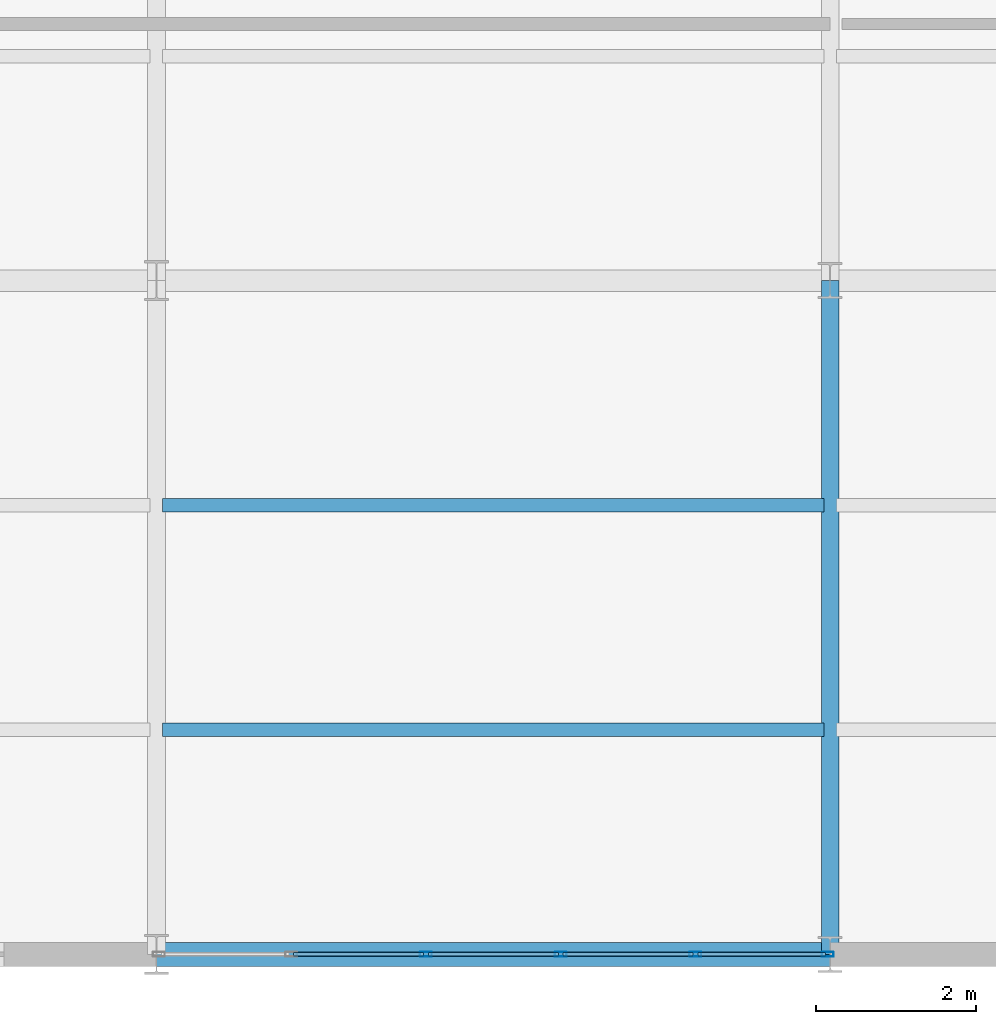
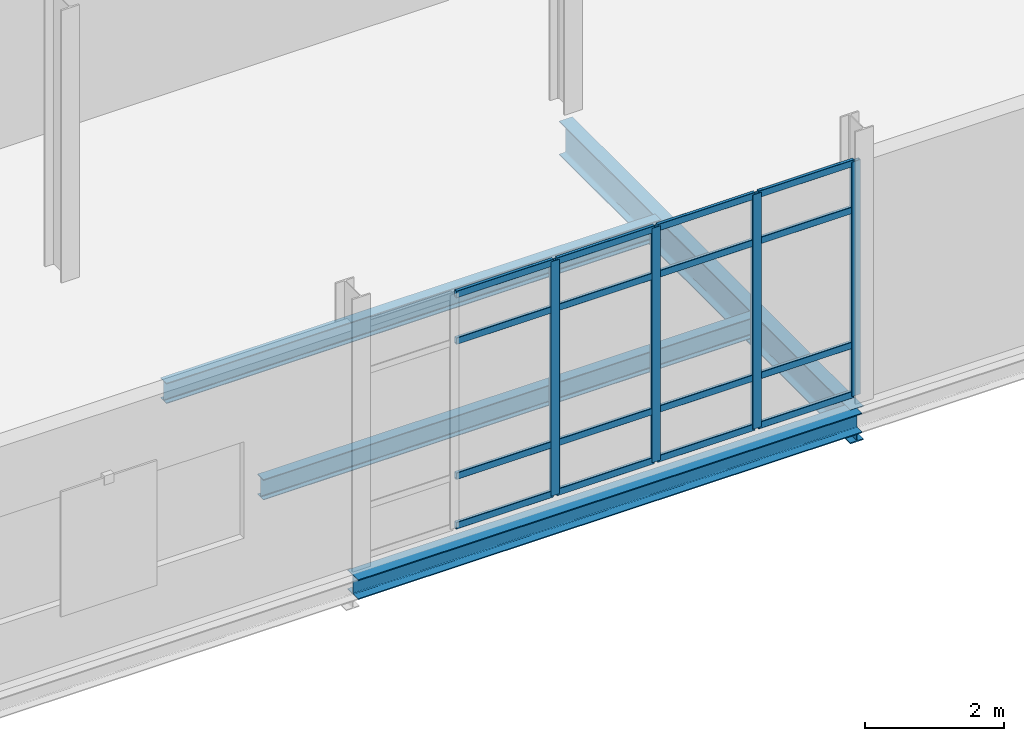
# One storey, part 51 of 145: 20 members, 4 beams, 1 element without a shape of its own.
"""IFC4 building model written with IfcOpenShell, lengths in metres."""

from ifc_helpers import new_model, si_unit, direction, frame, origin, origin_2d, place, context, subcontext, project, spatial, hollow_rectangle, i_section, extrude, material, layer, layer_set, material_profile, profile_set, type_object, element, aggregate, save


model = new_model("IFC4")

# Units and contexts
model_context = context("Model", 3, precision=1e-05, world=origin(), true_north=direction((0.0, 1.0)))
body_context = subcontext(model_context, "Body", "Model", "MODEL_VIEW")
ifc_project = project(units=[si_unit("LENGTHUNIT", "METRE"), si_unit("AREAUNIT", "SQUARE_METRE"), si_unit("VOLUMEUNIT", "CUBIC_METRE"), si_unit("PLANEANGLEUNIT", "RADIAN"), si_unit("MASSUNIT", "GRAM", prefix="KILO")], contexts=[model_context])

# Site, building, storey
site_placement = place(None, origin())
site = spatial("IfcSite", under=ifc_project, at=site_placement, CompositionType="ELEMENT")
building_placement = place(site_placement, origin())
building = spatial("IfcBuilding", under=site, at=building_placement, Name="Qalvenar Corner Mobility Hub", CompositionType="ELEMENT")
storey_placement = place(building_placement, origin())
storey = spatial("IfcBuildingStorey", under=building, at=storey_placement, Name="L00", CompositionType="ELEMENT", Elevation=0.0)

# Beams
ifc_material_1 = material(Name="Steel S355", Category="steel")
ifc_material_profile_1 = material_profile(ifc_material_1, i_section(OverallWidth=0.219970703125, OverallDepth=0.60009765625, WebThickness=0.011962890625, FlangeThickness=0.01904296875, FilletRadius=0.02392578125, at=origin_2d()), Name="IPE600")
ifc_profile_set_1 = profile_set([ifc_material_profile_1], Name="Steel S355")
beam_type_1 = type_object("IfcBeamType", Name="BM-IPE600", PredefinedType="BEAM", material=ifc_profile_set_1)
beam_1_placement = place(storey_placement, frame((126.0, 0.0, -0.550048828125), z_axis=(0.0, 1.0, 0.0), x_axis=(-1.0, 0.0, 0.0)))
element("IfcBeam", 1, at=beam_1_placement, inside=storey, type_object=beam_type_1, Name="Primary Steel Girder GY-0305", PredefinedType="BEAM", context=body_context, shape_type="SweptSolid", body=[
    extrude(i_section(OverallWidth=0.219970703125, OverallDepth=0.60009765625, WebThickness=0.011962890625, FlangeThickness=0.01904296875, FilletRadius=0.02392578125, at=origin_2d()), origin(), (0.0, 0.0, 1.0), 8.39990234375),
])
ifc_material_profile_2 = material_profile(ifc_material_1, i_section(OverallWidth=0.169921875, OverallDepth=0.360107421875, WebThickness=0.008056640625, FlangeThickness=0.0126953125, FilletRadius=0.01806640625, at=origin_2d()), Name="IPE360")
ifc_profile_set_2 = profile_set([ifc_material_profile_2], Name="Steel S355")
beam_type_2 = type_object("IfcBeamType", Name="BM-JST360", PredefinedType="JOIST", material=ifc_profile_set_2)
for number, where, z_axis, x_axis, name in (
    (2, (117.677978515625, 2.800048828125, -0.429931640625), (1.0, 0.0, 0.0), (0.0, 1.0, 0.0), "Composite Floor Joist J-0353"),
    (3, (117.677978515625, 5.60009765625, -0.429931640625), (1.0, 0.0, 0.0), (0.0, 1.0, 0.0), "Composite Floor Joist J-0354"),
):
    element("IfcBeam", number, at=place(storey_placement, frame(where, z_axis=z_axis, x_axis=x_axis)), inside=storey, type_object=beam_type_2, Name=name, PredefinedType="JOIST", context=body_context, shape_type="SweptSolid", body=[
        extrude(i_section(OverallWidth=0.169921875, OverallDepth=0.360107421875, WebThickness=0.008056640625, FlangeThickness=0.0126953125, FilletRadius=0.01806640625, at=origin_2d()), origin(), (0.0, 0.0, 1.0), 8.244140625),
    ])
ifc_material_profile_3 = material_profile(ifc_material_1, i_section(OverallWidth=0.300048828125, OverallDepth=0.35009765625, WebThickness=0.010009765625, FlangeThickness=0.017578125, FilletRadius=0.027099609375, at=origin_2d()), Name="HEA360")
ifc_profile_set_3 = profile_set([ifc_material_profile_3], Name="Steel S355")
beam_type_3 = type_object("IfcBeamType", Name="BM-SPN360", PredefinedType="SPANDREL", material=ifc_profile_set_3)
beam_2_placement = place(storey_placement, frame((117.60009765625, 0.0, -0.425048828125), z_axis=(1.0, 0.0, 0.0), x_axis=(0.0, 1.0, 0.0)))
element("IfcBeam", 4, at=beam_2_placement, inside=storey, type_object=beam_type_3, Name="Primary Steel Girder GX-0249", PredefinedType="SPANDREL", context=body_context, shape_type="SweptSolid", body=[
    extrude(i_section(OverallWidth=0.300048828125, OverallDepth=0.35009765625, WebThickness=0.010009765625, FlangeThickness=0.017578125, FilletRadius=0.027099609375, at=origin_2d()), origin(), (0.0, 0.0, 1.0), 8.39990234375),
])

# Curtain wall, members
ifc_material_2 = material(Name="Anodised Aluminium and Low-E Glazing", Category="aluminium")
ifc_layer = layer(ifc_material_2, 0.14990234375)
ifc_layer_set = layer_set([ifc_layer], Name="Anodised Aluminium and Low-E Glazing")
curtain_wall_type = type_object("IfcCurtainWallType", Name="CW-WKS-84X44", PredefinedType="NOTDEFINED", material=ifc_layer_set)
curtain_wall_placement = place(storey_placement, origin())
curtain_wall = element("IfcCurtainWall", 5, at=curtain_wall_placement, inside=storey, type_object=curtain_wall_type, Name="Glazed Curtain Wall CW-V6-L00-S1", PredefinedType="NOTDEFINED")
ifc_material_3 = material(Name="Anodised Aluminium 6063-T6", Category="aluminium")
ifc_material_profile_4 = material_profile(ifc_material_3, hollow_rectangle(XDim=0.06005859375, YDim=0.14990234375, WallThickness=0.00390625, InnerFilletRadius=0.00390625, OuterFilletRadius=0.008056640625, at=origin_2d()), Name="RHS150x60x4")
ifc_profile_set_4 = profile_set([ifc_material_profile_4], Name="Anodised Aluminium 6063-T6")
member_type_1 = type_object("IfcMemberType", Name="CW-MUL150", PredefinedType="MULLION", material=ifc_profile_set_4)
member_1_placement = place(storey_placement, frame((120.9599609375, 0.0, 0.0), z_axis=(0.0, 0.0, 1.0), x_axis=(0.0, 1.0, 0.0)))
member_1 = element("IfcMember", 6, at=member_1_placement, type_object=member_type_1, Name="CW-09 mullion 3", PredefinedType="MULLION", context=body_context, shape_type="SweptSolid", body=[
    extrude(hollow_rectangle(XDim=0.06005859375, YDim=0.14990234375, WallThickness=0.00390625, InnerFilletRadius=0.00390625, OuterFilletRadius=0.008056640625, at=origin_2d()), origin(), (0.0, 0.0, 1.0), 4.1298828125),
])
member_2_placement = place(storey_placement, frame((122.639892578125, 0.0, 0.0), z_axis=(0.0, 0.0, 1.0), x_axis=(0.0, 1.0, 0.0)))
member_2 = element("IfcMember", 7, at=member_2_placement, type_object=member_type_1, Name="CW-09 mullion 4", PredefinedType="MULLION", context=body_context, shape_type="SweptSolid", body=[
    extrude(hollow_rectangle(XDim=0.06005859375, YDim=0.14990234375, WallThickness=0.00390625, InnerFilletRadius=0.00390625, OuterFilletRadius=0.008056640625, at=origin_2d()), origin(), (0.0, 0.0, 1.0), 4.1298828125),
])
member_3_placement = place(storey_placement, frame((124.320068359375, 0.0, 0.0), z_axis=(0.0, 0.0, 1.0), x_axis=(0.0, 1.0, 0.0)))
member_3 = element("IfcMember", 8, at=member_3_placement, type_object=member_type_1, Name="CW-09 mullion 5", PredefinedType="MULLION", context=body_context, shape_type="SweptSolid", body=[
    extrude(hollow_rectangle(XDim=0.06005859375, YDim=0.14990234375, WallThickness=0.00390625, InnerFilletRadius=0.00390625, OuterFilletRadius=0.008056640625, at=origin_2d()), origin(), (0.0, 0.0, 1.0), 4.1298828125),
])
member_4_placement = place(storey_placement, frame((125.969970703125, 0.0, 0.0), z_axis=(0.0, 0.0, 1.0), x_axis=(0.0, 1.0, 0.0)))
member_4 = element("IfcMember", 9, at=member_4_placement, type_object=member_type_1, Name="CW-09 mullion 6", PredefinedType="MULLION", context=body_context, shape_type="SweptSolid", body=[
    extrude(hollow_rectangle(XDim=0.06005859375, YDim=0.14990234375, WallThickness=0.00390625, InnerFilletRadius=0.00390625, OuterFilletRadius=0.008056640625, at=origin_2d()), origin(), (0.0, 0.0, 1.0), 4.1298828125),
])
ifc_material_profile_5 = material_profile(ifc_material_3, hollow_rectangle(XDim=0.054931640625, YDim=0.1201171875, WallThickness=0.00341796875, InnerFilletRadius=0.00341796875, OuterFilletRadius=0.007080078125, at=origin_2d()), Name="RHS120x55x3.5")
ifc_profile_set_5 = profile_set([ifc_material_profile_5], Name="Anodised Aluminium 6063-T6")
member_type_2 = type_object("IfcMemberType", Name="CW-TRN120", PredefinedType="USERDEFINED", material=ifc_profile_set_5)
member_5_placement = place(storey_placement, frame((119.31005859375, 0.0, 0.027587890625), z_axis=(1.0, 0.0, 0.0), x_axis=(0.0, 1.0, 0.0)))
member_5 = element("IfcMember", 10, at=member_5_placement, type_object=member_type_2, Name="CW-09 transom 2.1", ObjectType="TRANSOM", PredefinedType="USERDEFINED", context=body_context, shape_type="SweptSolid", body=[
    extrude(hollow_rectangle(XDim=0.054931640625, YDim=0.1201171875, WallThickness=0.00341796875, InnerFilletRadius=0.00341796875, OuterFilletRadius=0.007080078125, at=origin_2d()), origin(), (0.0, 0.0, 1.0), 1.619873046875),
])
member_6_placement = place(storey_placement, frame((119.31005859375, 0.0, 0.89990234375), z_axis=(1.0, 0.0, 0.0), x_axis=(0.0, 1.0, 0.0)))
member_6 = element("IfcMember", 11, at=member_6_placement, type_object=member_type_2, Name="CW-09 transom 2.2", ObjectType="TRANSOM", PredefinedType="USERDEFINED", context=body_context, shape_type="SweptSolid", body=[
    extrude(hollow_rectangle(XDim=0.054931640625, YDim=0.1201171875, WallThickness=0.00341796875, InnerFilletRadius=0.00341796875, OuterFilletRadius=0.007080078125, at=origin_2d()), origin(), (0.0, 0.0, 1.0), 1.619873046875),
])
member_7_placement = place(storey_placement, frame((119.31005859375, 0.0, 3.280029296875), z_axis=(1.0, 0.0, 0.0), x_axis=(0.0, 1.0, 0.0)))
member_7 = element("IfcMember", 12, at=member_7_placement, type_object=member_type_2, Name="CW-09 transom 2.3", ObjectType="TRANSOM", PredefinedType="USERDEFINED", context=body_context, shape_type="SweptSolid", body=[
    extrude(hollow_rectangle(XDim=0.054931640625, YDim=0.1201171875, WallThickness=0.00341796875, InnerFilletRadius=0.00341796875, OuterFilletRadius=0.007080078125, at=origin_2d()), origin(), (0.0, 0.0, 1.0), 1.619873046875),
])
member_8_placement = place(storey_placement, frame((119.31005859375, 0.0, 4.1025390625), z_axis=(1.0, 0.0, 0.0), x_axis=(0.0, 1.0, 0.0)))
member_8 = element("IfcMember", 13, at=member_8_placement, type_object=member_type_2, Name="CW-09 transom 2.4", ObjectType="TRANSOM", PredefinedType="USERDEFINED", context=body_context, shape_type="SweptSolid", body=[
    extrude(hollow_rectangle(XDim=0.054931640625, YDim=0.1201171875, WallThickness=0.00341796875, InnerFilletRadius=0.00341796875, OuterFilletRadius=0.007080078125, at=origin_2d()), origin(), (0.0, 0.0, 1.0), 1.619873046875),
])
member_9_placement = place(storey_placement, frame((120.989990234375, 0.0, 0.027587890625), z_axis=(1.0, 0.0, 0.0), x_axis=(0.0, 1.0, 0.0)))
member_9 = element("IfcMember", 14, at=member_9_placement, type_object=member_type_2, Name="CW-09 transom 3.1", ObjectType="TRANSOM", PredefinedType="USERDEFINED", context=body_context, shape_type="SweptSolid", body=[
    extrude(hollow_rectangle(XDim=0.054931640625, YDim=0.1201171875, WallThickness=0.00341796875, InnerFilletRadius=0.00341796875, OuterFilletRadius=0.007080078125, at=origin_2d()), origin(), (0.0, 0.0, 1.0), 1.6201171875),
])
member_10_placement = place(storey_placement, frame((120.989990234375, 0.0, 0.89990234375), z_axis=(1.0, 0.0, 0.0), x_axis=(0.0, 1.0, 0.0)))
member_10 = element("IfcMember", 15, at=member_10_placement, type_object=member_type_2, Name="CW-09 transom 3.2", ObjectType="TRANSOM", PredefinedType="USERDEFINED", context=body_context, shape_type="SweptSolid", body=[
    extrude(hollow_rectangle(XDim=0.054931640625, YDim=0.1201171875, WallThickness=0.00341796875, InnerFilletRadius=0.00341796875, OuterFilletRadius=0.007080078125, at=origin_2d()), origin(), (0.0, 0.0, 1.0), 1.6201171875),
])
member_11_placement = place(storey_placement, frame((120.989990234375, 0.0, 3.280029296875), z_axis=(1.0, 0.0, 0.0), x_axis=(0.0, 1.0, 0.0)))
member_11 = element("IfcMember", 16, at=member_11_placement, type_object=member_type_2, Name="CW-09 transom 3.3", ObjectType="TRANSOM", PredefinedType="USERDEFINED", context=body_context, shape_type="SweptSolid", body=[
    extrude(hollow_rectangle(XDim=0.054931640625, YDim=0.1201171875, WallThickness=0.00341796875, InnerFilletRadius=0.00341796875, OuterFilletRadius=0.007080078125, at=origin_2d()), origin(), (0.0, 0.0, 1.0), 1.6201171875),
])
member_12_placement = place(storey_placement, frame((120.989990234375, 0.0, 4.1025390625), z_axis=(1.0, 0.0, 0.0), x_axis=(0.0, 1.0, 0.0)))
member_12 = element("IfcMember", 17, at=member_12_placement, type_object=member_type_2, Name="CW-09 transom 3.4", ObjectType="TRANSOM", PredefinedType="USERDEFINED", context=body_context, shape_type="SweptSolid", body=[
    extrude(hollow_rectangle(XDim=0.054931640625, YDim=0.1201171875, WallThickness=0.00341796875, InnerFilletRadius=0.00341796875, OuterFilletRadius=0.007080078125, at=origin_2d()), origin(), (0.0, 0.0, 1.0), 1.6201171875),
])
member_13_placement = place(storey_placement, frame((122.669921875, 0.0, 0.027587890625), z_axis=(1.0, 0.0, 0.0), x_axis=(0.0, 1.0, 0.0)))
member_13 = element("IfcMember", 18, at=member_13_placement, type_object=member_type_2, Name="CW-09 transom 4.1", ObjectType="TRANSOM", PredefinedType="USERDEFINED", context=body_context, shape_type="SweptSolid", body=[
    extrude(hollow_rectangle(XDim=0.054931640625, YDim=0.1201171875, WallThickness=0.00341796875, InnerFilletRadius=0.00341796875, OuterFilletRadius=0.007080078125, at=origin_2d()), origin(), (0.0, 0.0, 1.0), 1.6201171875),
])
member_14_placement = place(storey_placement, frame((122.669921875, 0.0, 0.89990234375), z_axis=(1.0, 0.0, 0.0), x_axis=(0.0, 1.0, 0.0)))
member_14 = element("IfcMember", 19, at=member_14_placement, type_object=member_type_2, Name="CW-09 transom 4.2", ObjectType="TRANSOM", PredefinedType="USERDEFINED", context=body_context, shape_type="SweptSolid", body=[
    extrude(hollow_rectangle(XDim=0.054931640625, YDim=0.1201171875, WallThickness=0.00341796875, InnerFilletRadius=0.00341796875, OuterFilletRadius=0.007080078125, at=origin_2d()), origin(), (0.0, 0.0, 1.0), 1.6201171875),
])
member_15_placement = place(storey_placement, frame((122.669921875, 0.0, 3.280029296875), z_axis=(1.0, 0.0, 0.0), x_axis=(0.0, 1.0, 0.0)))
member_15 = element("IfcMember", 20, at=member_15_placement, type_object=member_type_2, Name="CW-09 transom 4.3", ObjectType="TRANSOM", PredefinedType="USERDEFINED", context=body_context, shape_type="SweptSolid", body=[
    extrude(hollow_rectangle(XDim=0.054931640625, YDim=0.1201171875, WallThickness=0.00341796875, InnerFilletRadius=0.00341796875, OuterFilletRadius=0.007080078125, at=origin_2d()), origin(), (0.0, 0.0, 1.0), 1.6201171875),
])
member_16_placement = place(storey_placement, frame((122.669921875, 0.0, 4.1025390625), z_axis=(1.0, 0.0, 0.0), x_axis=(0.0, 1.0, 0.0)))
member_16 = element("IfcMember", 21, at=member_16_placement, type_object=member_type_2, Name="CW-09 transom 4.4", ObjectType="TRANSOM", PredefinedType="USERDEFINED", context=body_context, shape_type="SweptSolid", body=[
    extrude(hollow_rectangle(XDim=0.054931640625, YDim=0.1201171875, WallThickness=0.00341796875, InnerFilletRadius=0.00341796875, OuterFilletRadius=0.007080078125, at=origin_2d()), origin(), (0.0, 0.0, 1.0), 1.6201171875),
])
member_17_placement = place(storey_placement, frame((124.35009765625, 0.0, 0.027587890625), z_axis=(1.0, 0.0, 0.0), x_axis=(0.0, 1.0, 0.0)))
member_17 = element("IfcMember", 22, at=member_17_placement, type_object=member_type_2, Name="CW-09 transom 5.1", ObjectType="TRANSOM", PredefinedType="USERDEFINED", context=body_context, shape_type="SweptSolid", body=[
    extrude(hollow_rectangle(XDim=0.054931640625, YDim=0.1201171875, WallThickness=0.00341796875, InnerFilletRadius=0.00341796875, OuterFilletRadius=0.007080078125, at=origin_2d()), origin(), (0.0, 0.0, 1.0), 1.58984375),
])
member_18_placement = place(storey_placement, frame((124.35009765625, 0.0, 0.89990234375), z_axis=(1.0, 0.0, 0.0), x_axis=(0.0, 1.0, 0.0)))
member_18 = element("IfcMember", 23, at=member_18_placement, type_object=member_type_2, Name="CW-09 transom 5.2", ObjectType="TRANSOM", PredefinedType="USERDEFINED", context=body_context, shape_type="SweptSolid", body=[
    extrude(hollow_rectangle(XDim=0.054931640625, YDim=0.1201171875, WallThickness=0.00341796875, InnerFilletRadius=0.00341796875, OuterFilletRadius=0.007080078125, at=origin_2d()), origin(), (0.0, 0.0, 1.0), 1.58984375),
])
member_19_placement = place(storey_placement, frame((124.35009765625, 0.0, 3.280029296875), z_axis=(1.0, 0.0, 0.0), x_axis=(0.0, 1.0, 0.0)))
member_19 = element("IfcMember", 24, at=member_19_placement, type_object=member_type_2, Name="CW-09 transom 5.3", ObjectType="TRANSOM", PredefinedType="USERDEFINED", context=body_context, shape_type="SweptSolid", body=[
    extrude(hollow_rectangle(XDim=0.054931640625, YDim=0.1201171875, WallThickness=0.00341796875, InnerFilletRadius=0.00341796875, OuterFilletRadius=0.007080078125, at=origin_2d()), origin(), (0.0, 0.0, 1.0), 1.58984375),
])
member_20_placement = place(storey_placement, frame((124.35009765625, 0.0, 4.1025390625), z_axis=(1.0, 0.0, 0.0), x_axis=(0.0, 1.0, 0.0)))
member_20 = element("IfcMember", 25, at=member_20_placement, type_object=member_type_2, Name="CW-09 transom 5.4", ObjectType="TRANSOM", PredefinedType="USERDEFINED", context=body_context, shape_type="SweptSolid", body=[
    extrude(hollow_rectangle(XDim=0.054931640625, YDim=0.1201171875, WallThickness=0.00341796875, InnerFilletRadius=0.00341796875, OuterFilletRadius=0.007080078125, at=origin_2d()), origin(), (0.0, 0.0, 1.0), 1.58984375),
])
aggregate(curtain_wall, [member_1, member_2, member_3, member_4, member_5, member_6, member_7, member_8, member_9, member_10, member_11, member_12, member_13, member_14, member_15, member_16, member_17, member_18, member_19, member_20])

save(model, "model.ifc")
